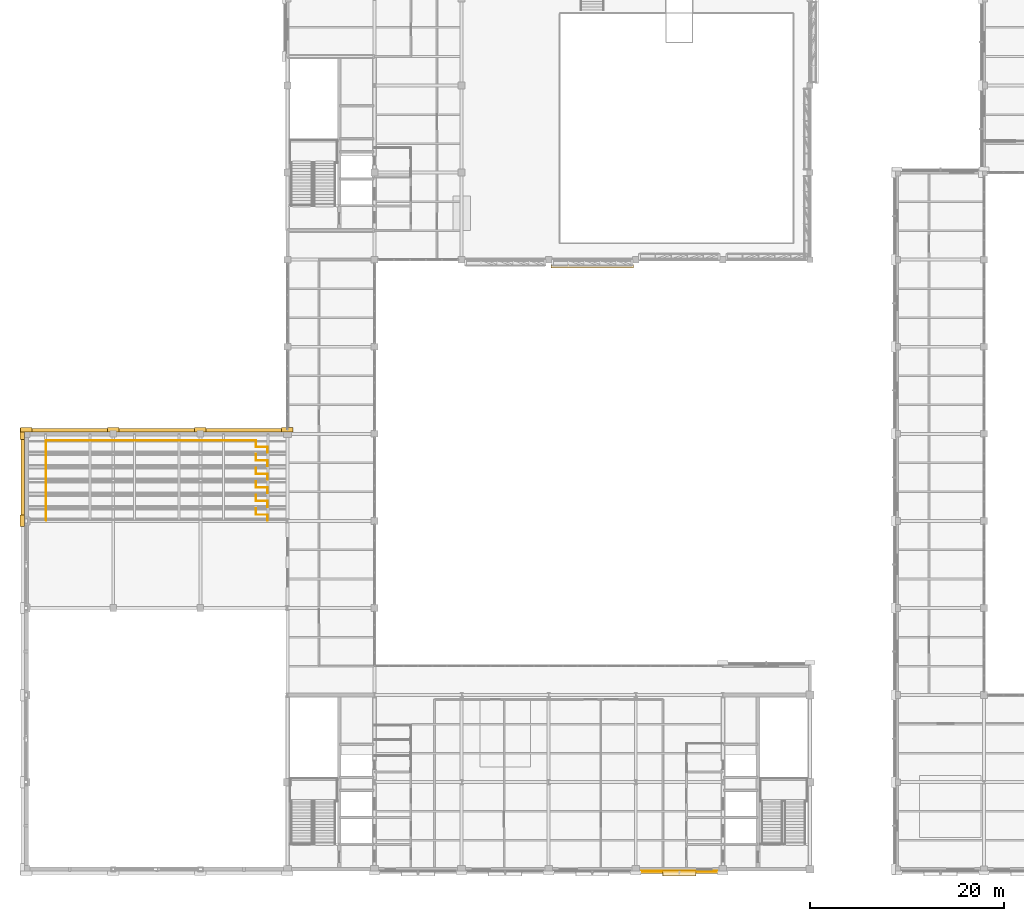
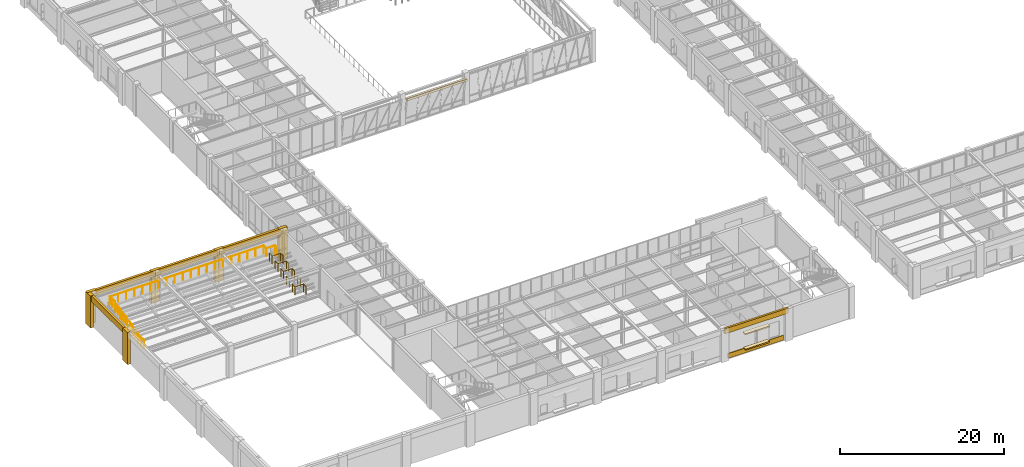
# One storey, part 93 of 98: 15 coverings, 11 railings.
"""IFC4 building model written with IfcOpenShell, lengths in metres."""

from ifc_helpers import new_model, si_unit, direction, frame, origin, origin_2d, place, context, subcontext, project, spatial, rectangle, circle, extrude, material, layer, layer_set, type_object, element, save


model = new_model("IFC4")

# Units and contexts
model_context = context("Model", 3, precision=1e-05, world=origin(), true_north=direction((0.0, 1.0)))
body_context = subcontext(model_context, "Body", "Model", "MODEL_VIEW")
ifc_project = project(units=[si_unit("LENGTHUNIT", "METRE"), si_unit("AREAUNIT", "SQUARE_METRE"), si_unit("VOLUMEUNIT", "CUBIC_METRE"), si_unit("PLANEANGLEUNIT", "RADIAN"), si_unit("MASSUNIT", "GRAM", prefix="KILO")], contexts=[model_context])

# Site, building, storey
site_placement = place(None, origin())
site = spatial("IfcSite", under=ifc_project, at=site_placement, CompositionType="ELEMENT")
building_placement = place(site_placement, origin())
building = spatial("IfcBuilding", under=site, at=building_placement, Name="Lykobir Media Centre", CompositionType="ELEMENT")
storey_placement = place(building_placement, frame((0.0, 0.0, 10.199951171875)))
storey = spatial("IfcBuildingStorey", under=building, at=storey_placement, Name="L02", CompositionType="ELEMENT", Elevation=10.199951171875)

# Coverings
ifc_material_1 = material(Name="Glazed Turquoise Terracotta", Category="masonry")
ifc_layer_1 = layer(ifc_material_1, 0.0400390625, Name="Glazed Turquoise Terracotta")
ifc_layer_set_1 = layer_set([ifc_layer_1], Name="Glazed Turquoise Terracotta")
covering_type_1 = type_object("IfcCoveringType", Name="CLD-TERR", PredefinedType="CLADDING", material=ifc_layer_set_1)
covering_1_placement = place(storey_placement, frame((67.5, -0.180908203125, 0.080078125), z_axis=(0.0, 0.0, 1.0), x_axis=(1.0, 0.0, 0.0)))
element("IfcCovering", 1, at=covering_1_placement, inside=storey, type_object=covering_type_1, Name="Facade spandrel apron 325", PredefinedType="CLADDING", context=body_context, shape_type="SweptSolid", body=[
    extrude(rectangle(XDim=7.830078125, YDim=0.10009765625, at=origin_2d()), origin(), (0.0, 0.0, 1.0), 0.719970703125),
])
ifc_material_2 = material(Name="Honed Travertine Stone", Category="masonry")
ifc_layer_2 = layer(ifc_material_2, 0.050048828125, Name="Honed Travertine Stone")
ifc_layer_set_2 = layer_set([ifc_layer_2], Name="Honed Travertine Stone")
covering_type_2 = type_object("IfcCoveringType", Name="CLD-TRAV", PredefinedType="CLADDING", material=ifc_layer_set_2)
covering_2_placement = place(storey_placement, frame((67.5, -0.300048828125, 4.0400390625), z_axis=(0.0, 0.0, 1.0), x_axis=(1.0, 0.0, 0.0)))
element("IfcCovering", 2, at=covering_2_placement, inside=storey, type_object=covering_type_2, Name="Travertine spandrel stringcourse 324", PredefinedType="CLADDING", context=body_context, shape_type="SweptSolid", body=[
    extrude(rectangle(XDim=9.0, YDim=0.280029296875, at=origin_2d()), origin(), (0.0, 0.0, 1.0), 0.760009765625),
])
covering_3_placement = place(storey_placement, frame((67.5, -0.4150390625, 0.77001953125), z_axis=(0.0, 0.0, 1.0), x_axis=(1.0, 0.0, 0.0)))
element("IfcCovering", 3, at=covering_3_placement, inside=storey, type_object=covering_type_2, Name="Ottoman Cumba sill 326", PredefinedType="CLADDING", context=body_context, shape_type="SweptSolid", body=[
    extrude(rectangle(XDim=3.39990234375, YDim=0.52001953125, at=origin_2d()), origin(), (0.0, 0.0, 1.0), 0.179931640625),
])
covering_4_placement = place(storey_placement, frame((67.5, -0.4150390625, 3.08984375), z_axis=(0.0, 0.0, 1.0), x_axis=(1.0, 0.0, 0.0)))
element("IfcCovering", 4, at=covering_4_placement, inside=storey, type_object=covering_type_2, Name="Ottoman Cumba canopy 327", PredefinedType="CLADDING", context=body_context, shape_type="SweptSolid", body=[
    extrude(rectangle(XDim=3.5, YDim=0.60009765625, at=origin_2d()), origin(), (0.0, 0.0, 1.0), 0.179931640625),
])
covering_5_placement = place(storey_placement, frame((58.5, 62.309814453125, 3.9248046875), z_axis=(0.0, 0.0, 1.0), x_axis=(1.0, 0.0, 0.0)))
element("IfcCovering", 5, at=covering_5_placement, inside=storey, type_object=covering_type_2, Name="V6 diagonal crease rib 332", PredefinedType="CLADDING", context=body_context, shape_type="SweptSolid", body=[
    extrude(rectangle(XDim=8.530029296875, YDim=0.360107421875, at=origin_2d()), origin(), (0.0, 0.0, 1.0), 0.340087890625),
])
covering_6_placement = place(storey_placement, frame((4.5, 45.360107421875, 3.9599609375), z_axis=(0.0, 0.0, 1.0), x_axis=(-1.0, 0.0, 0.0)))
element("IfcCovering", 6, at=covering_6_placement, inside=storey, type_object=covering_type_2, Name="Acoustic hall cornice band 349", PredefinedType="CLADDING", context=body_context, shape_type="SweptSolid", body=[
    extrude(rectangle(XDim=9.0, YDim=0.340087890625, at=origin_2d()), origin(), (0.0, 0.0, 1.0), 0.840087890625),
])
for number, where, z_axis, x_axis, name in (
    (7, (9.0, 45.419921875, 0.0), (0.0, 0.0, 1.0), (-1.0, 0.0, 0.0), "Stone pilaster 350"),
    (8, (0.0, 45.419921875, 0.0), (0.0, 0.0, 1.0), (-1.0, 0.0, 0.0), "Stone pilaster 351"),
):
    element("IfcCovering", number, at=place(storey_placement, frame(where, z_axis=z_axis, x_axis=x_axis)), inside=storey, type_object=covering_type_2, Name=name, PredefinedType="CLADDING", context=body_context, shape_type="SweptSolid", body=[
        extrude(rectangle(XDim=1.179931640625, YDim=0.43994140625, at=origin_2d()), origin(), (0.0, 0.0, 1.0), 4.800048828125),
    ])
covering_7_placement = place(storey_placement, frame((13.5, 45.360107421875, 3.9599609375), z_axis=(0.0, 0.0, 1.0), x_axis=(-1.0, 0.0, 0.0)))
element("IfcCovering", 9, at=covering_7_placement, inside=storey, type_object=covering_type_2, Name="Acoustic hall cornice band 352", PredefinedType="CLADDING", context=body_context, shape_type="SweptSolid", body=[
    extrude(rectangle(XDim=9.0, YDim=0.340087890625, at=origin_2d()), origin(), (0.0, 0.0, 1.0), 0.840087890625),
])
covering_8_placement = place(storey_placement, frame((18.0, 45.419921875, 0.0), z_axis=(0.0, 0.0, 1.0), x_axis=(-1.0, 0.0, 0.0)))
element("IfcCovering", 10, at=covering_8_placement, inside=storey, type_object=covering_type_2, Name="Stone pilaster 353", PredefinedType="CLADDING", context=body_context, shape_type="SweptSolid", body=[
    extrude(rectangle(XDim=1.179931640625, YDim=0.43994140625, at=origin_2d()), origin(), (0.0, 0.0, 1.0), 4.800048828125),
])
covering_9_placement = place(storey_placement, frame((22.5, 45.360107421875, 3.9599609375), z_axis=(0.0, 0.0, 1.0), x_axis=(-1.0, 0.0, 0.0)))
element("IfcCovering", 11, at=covering_9_placement, inside=storey, type_object=covering_type_2, Name="Acoustic hall cornice band 354", PredefinedType="CLADDING", context=body_context, shape_type="SweptSolid", body=[
    extrude(rectangle(XDim=9.0, YDim=0.340087890625, at=origin_2d()), origin(), (0.0, 0.0, 1.0), 0.840087890625),
])
for number, where, z_axis, x_axis, name in (
    (12, (27.0, 45.419921875, 0.0), (0.0, 0.0, 1.0), (-1.0, 0.0, 0.0), "Stone pilaster 355"),
    (13, (-0.419921875, 36.0, 0.0), (0.0, 0.0, 1.0), (0.0, -1.0, 0.0), "Stone pilaster 357"),
):
    element("IfcCovering", number, at=place(storey_placement, frame(where, z_axis=z_axis, x_axis=x_axis)), inside=storey, type_object=covering_type_2, Name=name, PredefinedType="CLADDING", context=body_context, shape_type="SweptSolid", body=[
        extrude(rectangle(XDim=1.179931640625, YDim=0.43994140625, at=origin_2d()), origin(), (0.0, 0.0, 1.0), 4.800048828125),
    ])
covering_10_placement = place(storey_placement, frame((-0.360107421875, 40.5, 3.9599609375), z_axis=(0.0, 0.0, 1.0), x_axis=(0.0, -1.0, 0.0)))
element("IfcCovering", 14, at=covering_10_placement, inside=storey, type_object=covering_type_2, Name="Acoustic hall cornice band 359", PredefinedType="CLADDING", context=body_context, shape_type="SweptSolid", body=[
    extrude(rectangle(XDim=9.0, YDim=0.340087890625, at=origin_2d()), origin(), (0.0, 0.0, 1.0), 0.840087890625),
])
covering_11_placement = place(storey_placement, frame((-0.419921875, 45.0, 0.0), z_axis=(0.0, 0.0, 1.0), x_axis=(0.0, -1.0, 0.0)))
element("IfcCovering", 15, at=covering_11_placement, inside=storey, type_object=covering_type_2, Name="Stone pilaster 360", PredefinedType="CLADDING", context=body_context, shape_type="SweptSolid", body=[
    extrude(rectangle(XDim=1.179931640625, YDim=0.43994140625, at=origin_2d()), origin(), (0.0, 0.0, 1.0), 4.800048828125),
])

# Railings
ifc_material_3 = material(Name="Steel S355", Category="steel")
railing_type = type_object("IfcRailingType", Name="GR-1200", PredefinedType="BALUSTRADE", material=ifc_material_3)
railing_1_placement = place(storey_placement, frame((2.06005859375, 36.06005859375, 1.179931640625)))
element("IfcRailing", 16, at=railing_1_placement, inside=storey, type_object=railing_type, Name="SCR4 west tier 1 balustrade", PredefinedType="BALUSTRADE", context=body_context, shape_type="SweptSolid", body=[
    extrude(circle(Radius=0.02392578125, at=origin_2d()), frame((0.0, 0.0, 1.17578125), z_axis=(0.0, 1.0, 0.0), x_axis=(-1.0, 0.0, 0.0)), (0.0, 0.0, 1.0), 1.239990234375),
    extrude(circle(Radius=0.02099609375, at=origin_2d()), origin(), (0.0, 0.0, 1.0), 1.15185546875),
    extrude(circle(Radius=0.02099609375, at=origin_2d()), frame((0.0, 0.6201171875, 0.0)), (0.0, 0.0, 1.0), 1.15185546875),
    extrude(circle(Radius=0.02099609375, at=origin_2d()), frame((0.0, 1.239990234375, 0.0)), (0.0, 0.0, 1.0), 1.15185546875),
])
railing_2_placement = place(storey_placement, frame((24.93994140625, 36.06005859375, 1.179931640625)))
element("IfcRailing", 17, at=railing_2_placement, inside=storey, type_object=railing_type, Name="SCR4 east tier 1 balustrade", PredefinedType="BALUSTRADE", context=body_context, shape_type="SweptSolid", body=[
    extrude(circle(Radius=0.02392578125, at=origin_2d()), frame((0.0, 0.0, 1.17578125), z_axis=(0.0, 1.0, 0.0), x_axis=(-1.0, 0.0, 0.0)), (0.0, 0.0, 1.0), 0.579833984375),
    extrude(circle(Radius=0.02392578125, at=origin_2d()), frame((0.0, 0.579833984375, 1.17578125), z_axis=(-1.0, 0.0, 0.0), x_axis=(0.0, -1.0, 0.0)), (0.0, 0.0, 1.0), 1.199951171875),
    extrude(circle(Radius=0.02392578125, at=origin_2d()), frame((-1.199951171875, 0.579833984375, 1.17578125), z_axis=(0.0, 1.0, 0.0), x_axis=(-1.0, 0.0, 0.0)), (0.0, 0.0, 1.0), 0.66015625),
    extrude(circle(Radius=0.02099609375, at=origin_2d()), origin(), (0.0, 0.0, 1.0), 1.15185546875),
    extrude(circle(Radius=0.02099609375, at=origin_2d()), frame((0.0, 0.579833984375, 0.0)), (0.0, 0.0, 1.0), 1.15185546875),
    extrude(circle(Radius=0.02099609375, at=origin_2d()), frame((-1.199951171875, 0.579833984375, 0.0)), (0.0, 0.0, 1.0), 1.15185546875),
    extrude(circle(Radius=0.02099609375, at=origin_2d()), frame((-1.199951171875, 1.239990234375, 0.0)), (0.0, 0.0, 1.0), 1.15185546875),
])
railing_3_placement = place(storey_placement, frame((2.06005859375, 37.4599609375, 1.47998046875)))
element("IfcRailing", 18, at=railing_3_placement, inside=storey, type_object=railing_type, Name="SCR4 west tier 2 balustrade", PredefinedType="BALUSTRADE", context=body_context, shape_type="SweptSolid", body=[
    extrude(circle(Radius=0.02392578125, at=origin_2d()), frame((0.0, 0.0, 1.17578125), z_axis=(0.0, 1.0, 0.0), x_axis=(-1.0, 0.0, 0.0)), (0.0, 0.0, 1.0), 1.239990234375),
    extrude(circle(Radius=0.02099609375, at=origin_2d()), origin(), (0.0, 0.0, 1.0), 1.15185546875),
    extrude(circle(Radius=0.02099609375, at=origin_2d()), frame((0.0, 0.6201171875, 0.0)), (0.0, 0.0, 1.0), 1.15185546875),
    extrude(circle(Radius=0.02099609375, at=origin_2d()), frame((0.0, 1.239990234375, 0.0)), (0.0, 0.0, 1.0), 1.15185546875),
])
railing_4_placement = place(storey_placement, frame((24.93994140625, 37.4599609375, 1.47998046875)))
element("IfcRailing", 19, at=railing_4_placement, inside=storey, type_object=railing_type, Name="SCR4 east tier 2 balustrade", PredefinedType="BALUSTRADE", context=body_context, shape_type="SweptSolid", body=[
    extrude(circle(Radius=0.02392578125, at=origin_2d()), frame((0.0, 0.0, 1.17578125), z_axis=(0.0, 1.0, 0.0), x_axis=(-1.0, 0.0, 0.0)), (0.0, 0.0, 1.0), 0.580078125),
    extrude(circle(Radius=0.02392578125, at=origin_2d()), frame((0.0, 0.580078125, 1.17578125), z_axis=(-1.0, 0.0, 0.0), x_axis=(0.0, -1.0, 0.0)), (0.0, 0.0, 1.0), 1.199951171875),
    extrude(circle(Radius=0.02392578125, at=origin_2d()), frame((-1.199951171875, 0.580078125, 1.17578125), z_axis=(0.0, 1.0, 0.0), x_axis=(-1.0, 0.0, 0.0)), (0.0, 0.0, 1.0), 0.659912109375),
    extrude(circle(Radius=0.02099609375, at=origin_2d()), origin(), (0.0, 0.0, 1.0), 1.15185546875),
    extrude(circle(Radius=0.02099609375, at=origin_2d()), frame((0.0, 0.580078125, 0.0)), (0.0, 0.0, 1.0), 1.15185546875),
    extrude(circle(Radius=0.02099609375, at=origin_2d()), frame((-1.199951171875, 0.580078125, 0.0)), (0.0, 0.0, 1.0), 1.15185546875),
    extrude(circle(Radius=0.02099609375, at=origin_2d()), frame((-1.199951171875, 1.239990234375, 0.0)), (0.0, 0.0, 1.0), 1.15185546875),
])
railing_5_placement = place(storey_placement, frame((2.06005859375, 38.860107421875, 1.780029296875)))
element("IfcRailing", 20, at=railing_5_placement, inside=storey, type_object=railing_type, Name="SCR4 west tier 3 balustrade", PredefinedType="BALUSTRADE", context=body_context, shape_type="SweptSolid", body=[
    extrude(circle(Radius=0.02392578125, at=origin_2d()), frame((0.0, 0.0, 1.17578125), z_axis=(0.0, 1.0, 0.0), x_axis=(-1.0, 0.0, 0.0)), (0.0, 0.0, 1.0), 1.239990234375),
    extrude(circle(Radius=0.02099609375, at=origin_2d()), origin(), (0.0, 0.0, 1.0), 1.15185546875),
    extrude(circle(Radius=0.02099609375, at=origin_2d()), frame((0.0, 0.6201171875, 0.0)), (0.0, 0.0, 1.0), 1.15185546875),
    extrude(circle(Radius=0.02099609375, at=origin_2d()), frame((0.0, 1.239990234375, 0.0)), (0.0, 0.0, 1.0), 1.15185546875),
])
railing_6_placement = place(storey_placement, frame((24.93994140625, 38.860107421875, 1.780029296875)))
element("IfcRailing", 21, at=railing_6_placement, inside=storey, type_object=railing_type, Name="SCR4 east tier 3 balustrade", PredefinedType="BALUSTRADE", context=body_context, shape_type="SweptSolid", body=[
    extrude(circle(Radius=0.02392578125, at=origin_2d()), frame((0.0, 0.0, 1.17578125), z_axis=(0.0, 1.0, 0.0), x_axis=(-1.0, 0.0, 0.0)), (0.0, 0.0, 1.0), 0.579833984375),
    extrude(circle(Radius=0.02392578125, at=origin_2d()), frame((0.0, 0.579833984375, 1.17578125), z_axis=(-1.0, 0.0, 0.0), x_axis=(0.0, -1.0, 0.0)), (0.0, 0.0, 1.0), 1.199951171875),
    extrude(circle(Radius=0.02392578125, at=origin_2d()), frame((-1.199951171875, 0.579833984375, 1.17578125), z_axis=(0.0, 1.0, 0.0), x_axis=(-1.0, 0.0, 0.0)), (0.0, 0.0, 1.0), 0.66015625),
    extrude(circle(Radius=0.02099609375, at=origin_2d()), origin(), (0.0, 0.0, 1.0), 1.15185546875),
    extrude(circle(Radius=0.02099609375, at=origin_2d()), frame((0.0, 0.579833984375, 0.0)), (0.0, 0.0, 1.0), 1.15185546875),
    extrude(circle(Radius=0.02099609375, at=origin_2d()), frame((-1.199951171875, 0.579833984375, 0.0)), (0.0, 0.0, 1.0), 1.15185546875),
    extrude(circle(Radius=0.02099609375, at=origin_2d()), frame((-1.199951171875, 1.239990234375, 0.0)), (0.0, 0.0, 1.0), 1.15185546875),
])
railing_7_placement = place(storey_placement, frame((2.06005859375, 40.260009765625, 2.080078125)))
element("IfcRailing", 22, at=railing_7_placement, inside=storey, type_object=railing_type, Name="SCR4 west tier 4 balustrade", PredefinedType="BALUSTRADE", context=body_context, shape_type="SweptSolid", body=[
    extrude(circle(Radius=0.02392578125, at=origin_2d()), frame((0.0, 0.0, 1.17578125), z_axis=(0.0, 1.0, 0.0), x_axis=(-1.0, 0.0, 0.0)), (0.0, 0.0, 1.0), 1.239990234375),
    extrude(circle(Radius=0.02099609375, at=origin_2d()), origin(), (0.0, 0.0, 1.0), 1.15185546875),
    extrude(circle(Radius=0.02099609375, at=origin_2d()), frame((0.0, 0.6201171875, 0.0)), (0.0, 0.0, 1.0), 1.15185546875),
    extrude(circle(Radius=0.02099609375, at=origin_2d()), frame((0.0, 1.239990234375, 0.0)), (0.0, 0.0, 1.0), 1.15185546875),
])
railing_8_placement = place(storey_placement, frame((24.93994140625, 40.260009765625, 2.080078125)))
element("IfcRailing", 23, at=railing_8_placement, inside=storey, type_object=railing_type, Name="SCR4 east tier 4 balustrade", PredefinedType="BALUSTRADE", context=body_context, shape_type="SweptSolid", body=[
    extrude(circle(Radius=0.02392578125, at=origin_2d()), frame((0.0, 0.0, 1.17578125), z_axis=(0.0, 1.0, 0.0), x_axis=(-1.0, 0.0, 0.0)), (0.0, 0.0, 1.0), 0.580078125),
    extrude(circle(Radius=0.02392578125, at=origin_2d()), frame((0.0, 0.580078125, 1.17578125), z_axis=(-1.0, 0.0, 0.0), x_axis=(0.0, -1.0, 0.0)), (0.0, 0.0, 1.0), 1.199951171875),
    extrude(circle(Radius=0.02392578125, at=origin_2d()), frame((-1.199951171875, 0.580078125, 1.17578125), z_axis=(0.0, 1.0, 0.0), x_axis=(-1.0, 0.0, 0.0)), (0.0, 0.0, 1.0), 0.659912109375),
    extrude(circle(Radius=0.02099609375, at=origin_2d()), origin(), (0.0, 0.0, 1.0), 1.15185546875),
    extrude(circle(Radius=0.02099609375, at=origin_2d()), frame((0.0, 0.580078125, 0.0)), (0.0, 0.0, 1.0), 1.15185546875),
    extrude(circle(Radius=0.02099609375, at=origin_2d()), frame((-1.199951171875, 0.580078125, 0.0)), (0.0, 0.0, 1.0), 1.15185546875),
    extrude(circle(Radius=0.02099609375, at=origin_2d()), frame((-1.199951171875, 1.239990234375, 0.0)), (0.0, 0.0, 1.0), 1.15185546875),
])
railing_9_placement = place(storey_placement, frame((2.06005859375, 41.659912109375, 2.380126953125)))
element("IfcRailing", 24, at=railing_9_placement, inside=storey, type_object=railing_type, Name="SCR4 west tier 5 balustrade", PredefinedType="BALUSTRADE", context=body_context, shape_type="SweptSolid", body=[
    extrude(circle(Radius=0.02392578125, at=origin_2d()), frame((0.0, 0.0, 1.17578125), z_axis=(0.0, 1.0, 0.0), x_axis=(-1.0, 0.0, 0.0)), (0.0, 0.0, 1.0), 1.239990234375),
    extrude(circle(Radius=0.02099609375, at=origin_2d()), origin(), (0.0, 0.0, 1.0), 1.15185546875),
    extrude(circle(Radius=0.02099609375, at=origin_2d()), frame((0.0, 0.6201171875, 0.0)), (0.0, 0.0, 1.0), 1.15185546875),
    extrude(circle(Radius=0.02099609375, at=origin_2d()), frame((0.0, 1.239990234375, 0.0)), (0.0, 0.0, 1.0), 1.15185546875),
])
railing_10_placement = place(storey_placement, frame((24.93994140625, 41.659912109375, 2.380126953125)))
element("IfcRailing", 25, at=railing_10_placement, inside=storey, type_object=railing_type, Name="SCR4 east tier 5 balustrade", PredefinedType="BALUSTRADE", context=body_context, shape_type="SweptSolid", body=[
    extrude(circle(Radius=0.02392578125, at=origin_2d()), frame((0.0, 0.0, 1.17578125), z_axis=(0.0, 1.0, 0.0), x_axis=(-1.0, 0.0, 0.0)), (0.0, 0.0, 1.0), 0.580078125),
    extrude(circle(Radius=0.02392578125, at=origin_2d()), frame((0.0, 0.580078125, 1.17578125), z_axis=(-1.0, 0.0, 0.0), x_axis=(0.0, -1.0, 0.0)), (0.0, 0.0, 1.0), 1.199951171875),
    extrude(circle(Radius=0.02392578125, at=origin_2d()), frame((-1.199951171875, 0.580078125, 1.17578125), z_axis=(0.0, 1.0, 0.0), x_axis=(-1.0, 0.0, 0.0)), (0.0, 0.0, 1.0), 0.659912109375),
    extrude(circle(Radius=0.02099609375, at=origin_2d()), origin(), (0.0, 0.0, 1.0), 1.15185546875),
    extrude(circle(Radius=0.02099609375, at=origin_2d()), frame((0.0, 0.580078125, 0.0)), (0.0, 0.0, 1.0), 1.15185546875),
    extrude(circle(Radius=0.02099609375, at=origin_2d()), frame((-1.199951171875, 0.580078125, 0.0)), (0.0, 0.0, 1.0), 1.15185546875),
    extrude(circle(Radius=0.02099609375, at=origin_2d()), frame((-1.199951171875, 1.239990234375, 0.0)), (0.0, 0.0, 1.0), 1.15185546875),
])
railing_11_placement = place(storey_placement, frame((2.06005859375, 43.06005859375, 2.679931640625)))
element("IfcRailing", 26, at=railing_11_placement, inside=storey, type_object=railing_type, Name="SCR4 rear tier 6 balustrade", PredefinedType="BALUSTRADE", context=body_context, shape_type="SweptSolid", body=[
    extrude(circle(Radius=0.02392578125, at=origin_2d()), frame((0.0, 0.0, 1.17578125), z_axis=(0.0, 1.0, 0.0), x_axis=(-1.0, 0.0, 0.0)), (0.0, 0.0, 1.0), 1.239990234375),
    extrude(circle(Radius=0.02392578125, at=origin_2d()), frame((0.0, 1.239990234375, 1.17578125), z_axis=(1.0, 0.0, 0.0), x_axis=(0.0, 1.0, 0.0)), (0.0, 0.0, 1.0), 21.679931640625),
    extrude(circle(Radius=0.02392578125, at=origin_2d()), frame((21.679931640625, 1.239990234375, 1.17578125), z_axis=(0.0, -1.0, 0.0), x_axis=(1.0, 0.0, 0.0)), (0.0, 0.0, 1.0), 0.66015625),
    extrude(circle(Radius=0.02392578125, at=origin_2d()), frame((21.679931640625, 0.579833984375, 1.17578125), z_axis=(1.0, 0.0, 0.0), x_axis=(0.0, 1.0, 0.0)), (0.0, 0.0, 1.0), 1.199951171875),
    extrude(circle(Radius=0.02392578125, at=origin_2d()), frame((22.8798828125, 0.579833984375, 1.17578125), z_axis=(0.0, -1.0, 0.0), x_axis=(1.0, 0.0, 0.0)), (0.0, 0.0, 1.0), 0.579833984375),
    extrude(circle(Radius=0.02099609375, at=origin_2d()), origin(), (0.0, 0.0, 1.0), 1.15185546875),
    extrude(circle(Radius=0.02099609375, at=origin_2d()), frame((0.0, 0.6201171875, 0.0)), (0.0, 0.0, 1.0), 1.15185546875),
    extrude(circle(Radius=0.02099609375, at=origin_2d()), frame((0.0, 1.239990234375, 0.0)), (0.0, 0.0, 1.0), 1.15185546875),
    extrude(circle(Radius=0.02099609375, at=origin_2d()), frame((1.14111328125, 1.239990234375, 0.0)), (0.0, 0.0, 1.0), 1.15185546875),
    extrude(circle(Radius=0.02099609375, at=origin_2d()), frame((2.281982421875, 1.239990234375, 0.0)), (0.0, 0.0, 1.0), 1.15185546875),
    extrude(circle(Radius=0.02099609375, at=origin_2d()), frame((3.423095703125, 1.239990234375, 0.0)), (0.0, 0.0, 1.0), 1.15185546875),
    extrude(circle(Radius=0.02099609375, at=origin_2d()), frame((4.564208984375, 1.239990234375, 0.0)), (0.0, 0.0, 1.0), 1.15185546875),
    extrude(circle(Radius=0.02099609375, at=origin_2d()), frame((5.705322265625, 1.239990234375, 0.0)), (0.0, 0.0, 1.0), 1.15185546875),
    extrude(circle(Radius=0.02099609375, at=origin_2d()), frame((6.84619140625, 1.239990234375, 0.0)), (0.0, 0.0, 1.0), 1.15185546875),
    extrude(circle(Radius=0.02099609375, at=origin_2d()), frame((7.9873046875, 1.239990234375, 0.0)), (0.0, 0.0, 1.0), 1.15185546875),
    extrude(circle(Radius=0.02099609375, at=origin_2d()), frame((9.12841796875, 1.239990234375, 0.0)), (0.0, 0.0, 1.0), 1.15185546875),
    extrude(circle(Radius=0.02099609375, at=origin_2d()), frame((10.26953125, 1.239990234375, 0.0)), (0.0, 0.0, 1.0), 1.15185546875),
    extrude(circle(Radius=0.02099609375, at=origin_2d()), frame((11.410400390625, 1.239990234375, 0.0)), (0.0, 0.0, 1.0), 1.15185546875),
    extrude(circle(Radius=0.02099609375, at=origin_2d()), frame((12.551513671875, 1.239990234375, 0.0)), (0.0, 0.0, 1.0), 1.15185546875),
    extrude(circle(Radius=0.02099609375, at=origin_2d()), frame((13.692626953125, 1.239990234375, 0.0)), (0.0, 0.0, 1.0), 1.15185546875),
    extrude(circle(Radius=0.02099609375, at=origin_2d()), frame((14.833740234375, 1.239990234375, 0.0)), (0.0, 0.0, 1.0), 1.15185546875),
    extrude(circle(Radius=0.02099609375, at=origin_2d()), frame((15.974609375, 1.239990234375, 0.0)), (0.0, 0.0, 1.0), 1.15185546875),
    extrude(circle(Radius=0.02099609375, at=origin_2d()), frame((17.11572265625, 1.239990234375, 0.0)), (0.0, 0.0, 1.0), 1.15185546875),
    extrude(circle(Radius=0.02099609375, at=origin_2d()), frame((18.2568359375, 1.239990234375, 0.0)), (0.0, 0.0, 1.0), 1.15185546875),
    extrude(circle(Radius=0.02099609375, at=origin_2d()), frame((19.39794921875, 1.239990234375, 0.0)), (0.0, 0.0, 1.0), 1.15185546875),
    extrude(circle(Radius=0.02099609375, at=origin_2d()), frame((20.538818359375, 1.239990234375, 0.0)), (0.0, 0.0, 1.0), 1.15185546875),
    extrude(circle(Radius=0.02099609375, at=origin_2d()), frame((21.679931640625, 1.239990234375, 0.0)), (0.0, 0.0, 1.0), 1.15185546875),
    extrude(circle(Radius=0.02099609375, at=origin_2d()), frame((21.679931640625, 0.579833984375, 0.0)), (0.0, 0.0, 1.0), 1.15185546875),
    extrude(circle(Radius=0.02099609375, at=origin_2d()), frame((22.8798828125, 0.579833984375, 0.0)), (0.0, 0.0, 1.0), 1.15185546875),
    extrude(circle(Radius=0.02099609375, at=origin_2d()), frame((22.8798828125, 0.0, 0.0)), (0.0, 0.0, 1.0), 1.15185546875),
])

save(model, "model.ifc")
